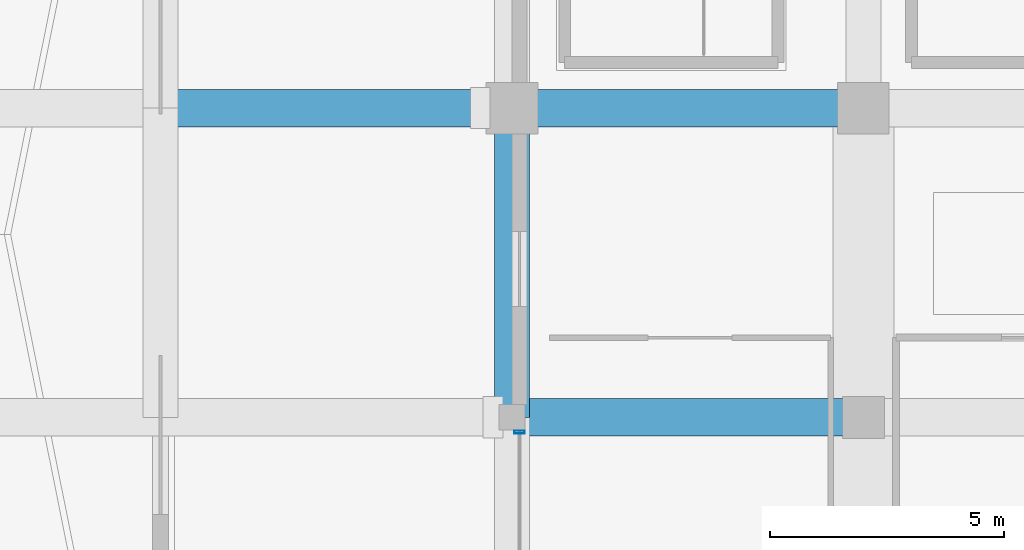
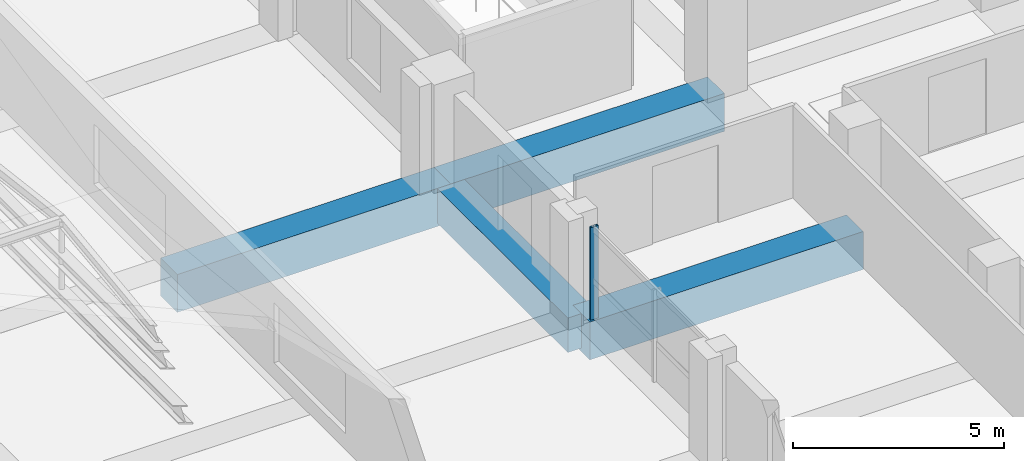
# One storey, part 11 of 49: 4 beams, 1 member, 1 element without a shape of its own.
"""IFC4 building model written with IfcOpenShell, lengths in metres."""

from ifc_helpers import new_model, si_unit, direction, frame, origin, origin_2d, place, context, subcontext, project, spatial, rectangle, hollow_rectangle, extrude, material, material_profile, profile_set, type_object, element, aggregate, save


model = new_model("IFC4")

# Units and contexts
model_context = context("Model", 3, precision=1e-05, world=origin(), true_north=direction((0.0, 1.0)))
body_context = subcontext(model_context, "Body", "Model", "MODEL_VIEW")
ifc_project = project(units=[si_unit("LENGTHUNIT", "METRE"), si_unit("AREAUNIT", "SQUARE_METRE"), si_unit("VOLUMEUNIT", "CUBIC_METRE"), si_unit("PLANEANGLEUNIT", "RADIAN"), si_unit("MASSUNIT", "GRAM", prefix="KILO")], contexts=[model_context])

# Site, building, storey
site_placement = place(None, origin())
site = spatial("IfcSite", under=ifc_project, at=site_placement, CompositionType="ELEMENT")
building_placement = place(site_placement, origin())
building = spatial("IfcBuilding", under=site, at=building_placement, Name="Akrevak Sports Hall", CompositionType="ELEMENT")
storey_placement = place(building_placement, frame((0.0, 0.0, 24.14990234375)))
storey = spatial("IfcBuildingStorey", under=building, at=storey_placement, Name="L04", CompositionType="ELEMENT", Elevation=24.14990234375)

# Curtain wall, member
ifc_material_1 = material(Name="Anodized Bronze Aluminium & Low-E Glass", Category="aluminium")
curtain_wall_type = type_object("IfcCurtainWallType", Name="ARC-CW-TWR-72x30", PredefinedType="NOTDEFINED", material=ifc_material_1)
curtain_wall_placement = place(storey_placement, origin())
curtain_wall = element("IfcCurtainWall", 1, at=curtain_wall_placement, inside=storey, type_object=curtain_wall_type, Name="Curtain Wall CW-L04-W33", PredefinedType="NOTDEFINED")
ifc_material_2 = material(Name="Anodized Bronze Aluminium", Category="aluminium")
ifc_material_profile_1 = material_profile(ifc_material_2, hollow_rectangle(XDim=0.06494140625, YDim=0.219970703125, WallThickness=0.00439453125, at=origin_2d()), Name="CWM 65x220", Category="aluminium")
ifc_profile_set_1 = profile_set([ifc_material_profile_1], Name="Anodized Bronze Aluminium")
member_type = type_object("IfcMemberType", Name="ARC-CWM-70x160", PredefinedType="MULLION", material=ifc_profile_set_1)
member_placement = place(storey_placement, frame((37.659912109375, 48.284912109375, 0.0), z_axis=(0.0, 0.0, 1.0), x_axis=(0.0, -1.0, 0.0)))
member = element("IfcMember", 2, at=member_placement, type_object=member_type, Name="Curtain Wall Mullion CW-L04-W33-M1", PredefinedType="MULLION", context=body_context, shape_type="SweptSolid", body=[
    extrude(hollow_rectangle(XDim=0.06494140625, YDim=0.219970703125, WallThickness=0.00439453125, at=origin_2d()), origin(), (0.0, 0.0, 1.0), 2.68017578125),
])
aggregate(curtain_wall, [member])

# Beams
ifc_material_3 = material(Name="Concrete C50/60", Category="concrete")
ifc_material_profile_2 = material_profile(ifc_material_3, rectangle(XDim=0.75, YDim=1.0, at=origin_2d()), Name="BM 750x1000", Category="concrete")
ifc_profile_set_2 = profile_set([ifc_material_profile_2], Name="Concrete C50/60")
beam_type_1 = type_object("IfcBeamType", Name="STR-BM-RC750x1000", PredefinedType="BEAM", material=ifc_profile_set_2)
beam_placement = place(storey_placement, frame((37.5, 48.60009765625, -0.5), z_axis=(0.0, 1.0, 0.0), x_axis=(-1.0, 0.0, 0.0)))
element("IfcBeam", 3, at=beam_placement, inside=storey, type_object=beam_type_1, Name="Girder 6/H-I (L04)", PredefinedType="BEAM", context=body_context, shape_type="SweptSolid", body=[
    extrude(rectangle(XDim=0.75, YDim=1.0, at=origin_2d()), origin(), (0.0, 0.0, 1.0), 6.599853515625),
])
ifc_material_profile_3 = material_profile(ifc_material_3, rectangle(XDim=0.800048828125, YDim=1.10009765625, at=origin_2d()), Name="BM 800x1100", Category="concrete")
ifc_profile_set_3 = profile_set([ifc_material_profile_3], Name="Concrete C50/60")
beam_type_2 = type_object("IfcBeamType", Name="STR-BM-RC800x1100", PredefinedType="BEAM", material=ifc_profile_set_3)
for number, where, z_axis, x_axis, name in (
    (4, (37.5, 48.60009765625, -0.5498046875), (1.0, 0.0, 0.0), (0.0, 1.0, 0.0), "Girder H/6-7 (L04)"),
    (5, (30.0, 55.199951171875, -0.5498046875), (1.0, 0.0, 0.0), (0.0, 1.0, 0.0), "Girder I/5-6 (L04)"),
    (6, (37.5, 55.199951171875, -0.5498046875), (1.0, 0.0, 0.0), (0.0, 1.0, 0.0), "Girder I/6-7 (L04)"),
):
    element("IfcBeam", number, at=place(storey_placement, frame(where, z_axis=z_axis, x_axis=x_axis)), inside=storey, type_object=beam_type_2, Name=name, PredefinedType="BEAM", context=body_context, shape_type="SweptSolid", body=[
        extrude(rectangle(XDim=0.800048828125, YDim=1.10009765625, at=origin_2d()), origin(), (0.0, 0.0, 1.0), 7.5),
    ])

save(model, "model.ifc")
